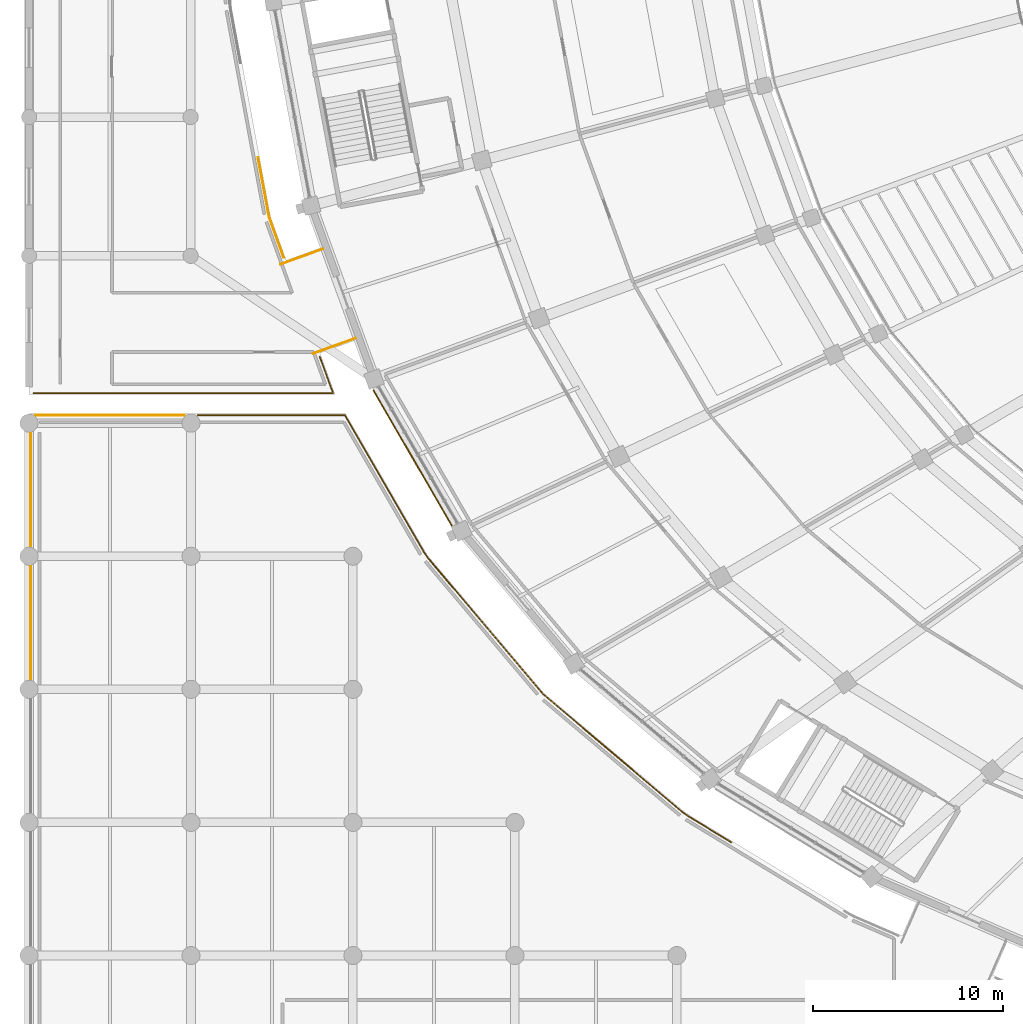
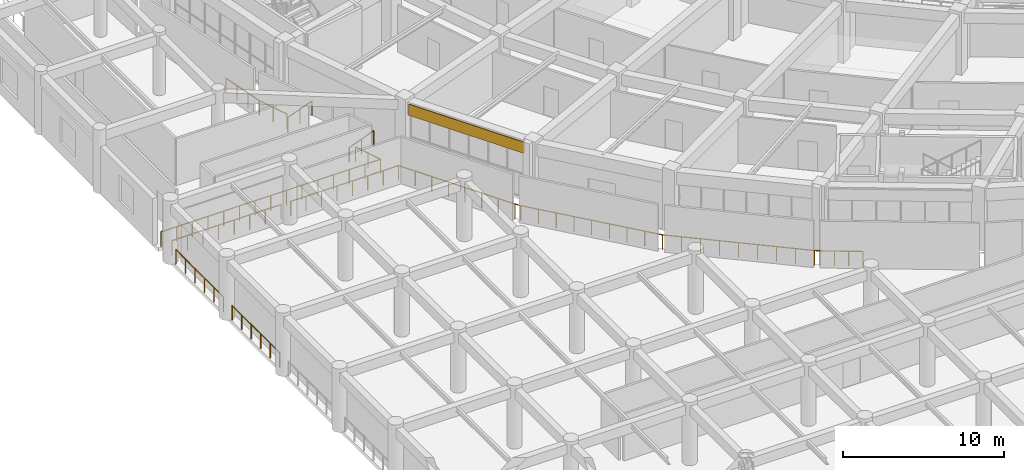
# One storey, part 122 of 152: 9 railings, 1 covering.
"""IFC4 building model written with IfcOpenShell, lengths in metres."""

from ifc_helpers import new_model, si_unit, direction, frame, origin, origin_2d, place, context, subcontext, project, spatial, rectangle, circle, extrude, material, layer, layer_set, type_object, element, save


model = new_model("IFC4")

# Units and contexts
model_context = context("Model", 3, precision=1e-05, world=origin(), true_north=direction((0.0, 1.0)))
body_context = subcontext(model_context, "Body", "Model", "MODEL_VIEW")
ifc_project = project(units=[si_unit("LENGTHUNIT", "METRE"), si_unit("AREAUNIT", "SQUARE_METRE"), si_unit("VOLUMEUNIT", "CUBIC_METRE"), si_unit("PLANEANGLEUNIT", "RADIAN"), si_unit("MASSUNIT", "GRAM", prefix="KILO")], contexts=[model_context])

# Site, building, storey
site_placement = place(None, origin())
site = spatial("IfcSite", under=ifc_project, at=site_placement, CompositionType="ELEMENT")
building_placement = place(site_placement, origin())
building = spatial("IfcBuilding", under=site, at=building_placement, Name="Mphavela Belvedere Stadium", CompositionType="ELEMENT")
storey_placement = place(building_placement, frame((0.0, 0.0, 5.39990234375)))
storey = spatial("IfcBuildingStorey", under=building, at=storey_placement, Name="L01", CompositionType="ELEMENT", Elevation=5.39990234375)

# Covering
ifc_material_1 = material(Name="Carved classical limestone entablature frieze cladding", Category="masonry")
ifc_layer = layer(ifc_material_1, 0.06005859375)
ifc_layer_set = layer_set([ifc_layer], Name="Carved classical limestone entablature frieze cladding")
covering_type = type_object("IfcCoveringType", Name="COV-FRIEZE-CLAD", PredefinedType="CLADDING", material=ifc_layer_set)
covering_placement = place(storey_placement, frame((20.173583984375, 47.16796875, 3.594970703125), z_axis=(0.0, 0.0, 1.0), x_axis=(0.500604477892, -0.865676126917, 0.0)))
element("IfcCovering", 1, at=covering_placement, inside=storey, type_object=covering_type, Name="Classical entablature frieze cladding L01-28", PredefinedType="CLADDING", context=body_context, shape_type="SweptSolid", body=[
    extrude(rectangle(XDim=8.27099609375, YDim=0.06005859375, at=origin_2d()), origin(), (0.0, 0.0, 1.0), 0.85009765625),
])

# Railings
ifc_material_2 = material(Name="Bronze and laminated glass stadium balustrade", Category="glass")
railing_type = type_object("IfcRailingType", Name="RAL-BALUSTRADE-1120", PredefinedType="BALUSTRADE", material=ifc_material_2)
railing_1_placement = place(storey_placement, frame((15.44921875, 58.159423828125, 0.0)))
element("IfcRailing", 2, at=railing_1_placement, inside=storey, type_object=railing_type, Name="Colonnade link bridge balustrade L01-27A", PredefinedType="BALUSTRADE", context=body_context, shape_type="SweptSolid", body=[
    extrude(circle(Radius=0.02392578125, at=origin_2d()), frame((0.0, 0.0, 1.09619140625), z_axis=(-0.940078218368, -0.340958858734, 0.0), x_axis=(0.340958858734, -0.940078218368, 0.0)), (0.0, 0.0, 1.0), 2.35009765625),
    extrude(circle(Radius=0.02099609375, at=origin_2d()), origin(), (0.0, 0.0, 1.0), 1.072021484375),
    extrude(circle(Radius=0.02099609375, at=origin_2d()), frame((-1.1044921875, -0.400634765625, 0.0)), (0.0, 0.0, 1.0), 1.072021484375),
    extrude(circle(Radius=0.02099609375, at=origin_2d()), frame((-2.209228515625, -0.80126953125, 0.0)), (0.0, 0.0, 1.0), 1.072021484375),
])
railing_2_placement = place(storey_placement, frame((17.154296875, 53.459228515625, 0.0)))
element("IfcRailing", 3, at=railing_2_placement, inside=storey, type_object=railing_type, Name="Colonnade link bridge balustrade L01-27B", PredefinedType="BALUSTRADE", context=body_context, shape_type="SweptSolid", body=[
    extrude(circle(Radius=0.02392578125, at=origin_2d()), frame((0.0, 0.0, 1.09619140625), z_axis=(-0.940044916205, -0.341050664151, 0.0), x_axis=(0.341050664151, -0.940044916205, 0.0)), (0.0, 0.0, 1.0), 2.35009765625),
    extrude(circle(Radius=0.02099609375, at=origin_2d()), origin(), (0.0, 0.0, 1.0), 1.072021484375),
    extrude(circle(Radius=0.02099609375, at=origin_2d()), frame((-1.1044921875, -0.40087890625, 0.0)), (0.0, 0.0, 1.0), 1.072021484375),
    extrude(circle(Radius=0.02099609375, at=origin_2d()), frame((-2.209228515625, -0.801513671875, 0.0)), (0.0, 0.0, 1.0), 1.072021484375),
])
railing_3_placement = place(storey_placement, frame((20.78369140625, 42.197265625, 0.0)))
element("IfcRailing", 4, at=railing_3_placement, inside=storey, type_object=railing_type, Name="Peristyle wing gallery edge balustrade L01-01", PredefinedType="BALUSTRADE", context=body_context, shape_type="SweptSolid", body=[
    extrude(circle(Radius=0.02392578125, at=origin_2d()), frame((0.0, 0.0, 1.09619140625), z_axis=(0.574803044169, -0.818291794175, 0.0), x_axis=(0.818291794175, 0.574803044169, 0.0)), (0.0, 0.0, 1.0), 0.403076171875),
    extrude(circle(Radius=0.02392578125, at=origin_2d()), frame((0.231689453125, -0.329833984375, 1.09619140625), z_axis=(0.645875497247, -0.76344275624, 0.0), x_axis=(0.76344275624, 0.645875497247, 0.0)), (0.0, 0.0, 1.0), 9.3466796875),
    extrude(circle(Radius=0.02392578125, at=origin_2d()), frame((6.2685546875, -7.465576171875, 1.09619140625), z_axis=(0.763732839913, -0.645532454056, 0.0), x_axis=(0.645532454056, 0.763732839913, 0.0)), (0.0, 0.0, 1.0), 9.590087890625),
    extrude(circle(Radius=0.02392578125, at=origin_2d()), frame((13.5927734375, -13.65625, 1.09619140625), z_axis=(0.81202574752, -0.583621611462, 0.0), x_axis=(0.583621611462, 0.81202574752, 0.0)), (0.0, 0.0, 1.0), 0.348388671875),
    extrude(circle(Radius=0.02392578125, at=origin_2d()), frame((13.875732421875, -13.859619140625, 1.09619140625), z_axis=(0.854337692863, -0.519718295381, 0.0), x_axis=(0.519718295381, 0.854337692863, 0.0)), (0.0, 0.0, 1.0), 2.67626953125),
    extrude(circle(Radius=0.02099609375, at=origin_2d()), origin(), (0.0, 0.0, 1.0), 1.072021484375),
    extrude(circle(Radius=0.02099609375, at=origin_2d()), frame((0.231689453125, -0.329833984375, 0.0)), (0.0, 0.0, 1.0), 1.072021484375),
    extrude(circle(Radius=0.02099609375, at=origin_2d()), frame((0.986328125, -1.2216796875, 0.0)), (0.0, 0.0, 1.0), 1.072021484375),
    extrude(circle(Radius=0.02099609375, at=origin_2d()), frame((1.740966796875, -2.11376953125, 0.0)), (0.0, 0.0, 1.0), 1.072021484375),
    extrude(circle(Radius=0.02099609375, at=origin_2d()), frame((2.49560546875, -3.005859375, 0.0)), (0.0, 0.0, 1.0), 1.072021484375),
    extrude(circle(Radius=0.02099609375, at=origin_2d()), frame((3.25, -3.897705078125, 0.0)), (0.0, 0.0, 1.0), 1.072021484375),
    extrude(circle(Radius=0.02099609375, at=origin_2d()), frame((4.004638671875, -4.78955078125, 0.0)), (0.0, 0.0, 1.0), 1.072021484375),
    extrude(circle(Radius=0.02099609375, at=origin_2d()), frame((4.75927734375, -5.681640625, 0.0)), (0.0, 0.0, 1.0), 1.072021484375),
    extrude(circle(Radius=0.02099609375, at=origin_2d()), frame((5.513916015625, -6.57373046875, 0.0)), (0.0, 0.0, 1.0), 1.072021484375),
    extrude(circle(Radius=0.02099609375, at=origin_2d()), frame((6.2685546875, -7.465576171875, 0.0)), (0.0, 0.0, 1.0), 1.072021484375),
    extrude(circle(Radius=0.02099609375, at=origin_2d()), frame((7.18408203125, -8.239501953125, 0.0)), (0.0, 0.0, 1.0), 1.072021484375),
    extrude(circle(Radius=0.02099609375, at=origin_2d()), frame((8.099609375, -9.01318359375, 0.0)), (0.0, 0.0, 1.0), 1.072021484375),
    extrude(circle(Radius=0.02099609375, at=origin_2d()), frame((9.01513671875, -9.787109375, 0.0)), (0.0, 0.0, 1.0), 1.072021484375),
    extrude(circle(Radius=0.02099609375, at=origin_2d()), frame((9.9306640625, -10.56103515625, 0.0)), (0.0, 0.0, 1.0), 1.072021484375),
    extrude(circle(Radius=0.02099609375, at=origin_2d()), frame((10.84619140625, -11.334716796875, 0.0)), (0.0, 0.0, 1.0), 1.072021484375),
    extrude(circle(Radius=0.02099609375, at=origin_2d()), frame((11.76171875, -12.108642578125, 0.0)), (0.0, 0.0, 1.0), 1.072021484375),
    extrude(circle(Radius=0.02099609375, at=origin_2d()), frame((12.67724609375, -12.88232421875, 0.0)), (0.0, 0.0, 1.0), 1.072021484375),
    extrude(circle(Radius=0.02099609375, at=origin_2d()), frame((13.5927734375, -13.65625, 0.0)), (0.0, 0.0, 1.0), 1.072021484375),
    extrude(circle(Radius=0.02099609375, at=origin_2d()), frame((13.875732421875, -13.859619140625, 0.0)), (0.0, 0.0, 1.0), 1.072021484375),
    extrude(circle(Radius=0.02099609375, at=origin_2d()), frame((14.637939453125, -14.3232421875, 0.0)), (0.0, 0.0, 1.0), 1.072021484375),
    extrude(circle(Radius=0.02099609375, at=origin_2d()), frame((15.39990234375, -14.786865234375, 0.0)), (0.0, 0.0, 1.0), 1.072021484375),
    extrude(circle(Radius=0.02099609375, at=origin_2d()), frame((16.162109375, -15.25048828125, 0.0)), (0.0, 0.0, 1.0), 1.072021484375),
])
for number, where, name in (
    (5, (0.080078125, 35.54345703125, 0.0), "Peristyle wing gallery edge balustrade L01-21"),
    (6, (0.080078125, 42.54345703125, 0.0), "Peristyle wing gallery edge balustrade L01-22"),
):
    element("IfcRailing", number, at=place(storey_placement, frame(where)), inside=storey, type_object=railing_type, Name=name, PredefinedType="BALUSTRADE", context=body_context, shape_type="SweptSolid", body=[
        extrude(circle(Radius=0.02392578125, at=origin_2d()), frame((0.0, 0.0, 1.09619140625), z_axis=(0.0, 1.0, 0.0), x_axis=(-1.0, 0.0, 0.0)), (0.0, 0.0, 1.0), 5.9130859375),
        extrude(circle(Radius=0.02099609375, at=origin_2d()), origin(), (0.0, 0.0, 1.0), 1.072021484375),
        extrude(circle(Radius=0.02099609375, at=origin_2d()), frame((0.0, 1.1826171875, 0.0)), (0.0, 0.0, 1.0), 1.072021484375),
        extrude(circle(Radius=0.02099609375, at=origin_2d()), frame((0.0, 2.365234375, 0.0)), (0.0, 0.0, 1.0), 1.072021484375),
        extrude(circle(Radius=0.02099609375, at=origin_2d()), frame((0.0, 3.5478515625, 0.0)), (0.0, 0.0, 1.0), 1.072021484375),
        extrude(circle(Radius=0.02099609375, at=origin_2d()), frame((0.0, 4.73046875, 0.0)), (0.0, 0.0, 1.0), 1.072021484375),
        extrude(circle(Radius=0.02099609375, at=origin_2d()), frame((0.0, 5.9130859375, 0.0)), (0.0, 0.0, 1.0), 1.072021484375),
    ])
railing_4_placement = place(storey_placement, frame((0.3544921875, 49.419921875, 0.0)))
element("IfcRailing", 7, at=railing_4_placement, inside=storey, type_object=railing_type, Name="Peristyle wing gallery edge balustrade L01-23", PredefinedType="BALUSTRADE", context=body_context, shape_type="SweptSolid", body=[
    extrude(circle(Radius=0.02392578125, at=origin_2d()), frame((0.0, 0.0, 1.09619140625), z_axis=(1.0, 0.0, 0.0), x_axis=(0.0, 1.0, 0.0)), (0.0, 0.0, 1.0), 7.809814453125),
    extrude(circle(Radius=0.02099609375, at=origin_2d()), origin(), (0.0, 0.0, 1.0), 1.072021484375),
    extrude(circle(Radius=0.02099609375, at=origin_2d()), frame((1.11572265625, 0.0, 0.0)), (0.0, 0.0, 1.0), 1.072021484375),
    extrude(circle(Radius=0.02099609375, at=origin_2d()), frame((2.2314453125, 0.0, 0.0)), (0.0, 0.0, 1.0), 1.072021484375),
    extrude(circle(Radius=0.02099609375, at=origin_2d()), frame((3.34716796875, 0.0, 0.0)), (0.0, 0.0, 1.0), 1.072021484375),
    extrude(circle(Radius=0.02099609375, at=origin_2d()), frame((4.462646484375, 0.0, 0.0)), (0.0, 0.0, 1.0), 1.072021484375),
    extrude(circle(Radius=0.02099609375, at=origin_2d()), frame((5.578369140625, 0.0, 0.0)), (0.0, 0.0, 1.0), 1.072021484375),
    extrude(circle(Radius=0.02099609375, at=origin_2d()), frame((6.694091796875, 0.0, 0.0)), (0.0, 0.0, 1.0), 1.072021484375),
    extrude(circle(Radius=0.02099609375, at=origin_2d()), frame((7.809814453125, 0.0, 0.0)), (0.0, 0.0, 1.0), 1.072021484375),
])
railing_5_placement = place(storey_placement, frame((8.87353515625, 49.419921875, 0.0)))
element("IfcRailing", 8, at=railing_5_placement, inside=storey, type_object=railing_type, Name="Peristyle wing gallery edge balustrade L01-24", PredefinedType="BALUSTRADE", context=body_context, shape_type="SweptSolid", body=[
    extrude(circle(Radius=0.02392578125, at=origin_2d()), frame((0.0, 0.0, 1.09619140625), z_axis=(1.0, 0.0, 0.0), x_axis=(0.0, 1.0, 0.0)), (0.0, 0.0, 1.0), 7.73388671875),
    extrude(circle(Radius=0.02392578125, at=origin_2d()), frame((7.73388671875, 0.0, 1.09619140625), z_axis=(0.500563261308, -0.865699960396, 0.0), x_axis=(0.865699960396, 0.500563261308, 0.0)), (0.0, 0.0, 1.0), 8.34326171875),
    extrude(circle(Radius=0.02099609375, at=origin_2d()), origin(), (0.0, 0.0, 1.0), 1.072021484375),
    extrude(circle(Radius=0.02099609375, at=origin_2d()), frame((1.104736328125, 0.0, 0.0)), (0.0, 0.0, 1.0), 1.072021484375),
    extrude(circle(Radius=0.02099609375, at=origin_2d()), frame((2.209716796875, 0.0, 0.0)), (0.0, 0.0, 1.0), 1.072021484375),
    extrude(circle(Radius=0.02099609375, at=origin_2d()), frame((3.314453125, 0.0, 0.0)), (0.0, 0.0, 1.0), 1.072021484375),
    extrude(circle(Radius=0.02099609375, at=origin_2d()), frame((4.41943359375, 0.0, 0.0)), (0.0, 0.0, 1.0), 1.072021484375),
    extrude(circle(Radius=0.02099609375, at=origin_2d()), frame((5.524169921875, 0.0, 0.0)), (0.0, 0.0, 1.0), 1.072021484375),
    extrude(circle(Radius=0.02099609375, at=origin_2d()), frame((6.629150390625, 0.0, 0.0)), (0.0, 0.0, 1.0), 1.072021484375),
    extrude(circle(Radius=0.02099609375, at=origin_2d()), frame((7.73388671875, 0.0, 0.0)), (0.0, 0.0, 1.0), 1.072021484375),
    extrude(circle(Radius=0.02099609375, at=origin_2d()), frame((8.33056640625, -1.03173828125, 0.0)), (0.0, 0.0, 1.0), 1.072021484375),
    extrude(circle(Radius=0.02099609375, at=origin_2d()), frame((8.927001953125, -2.063720703125, 0.0)), (0.0, 0.0, 1.0), 1.072021484375),
    extrude(circle(Radius=0.02099609375, at=origin_2d()), frame((9.523681640625, -3.095458984375, 0.0)), (0.0, 0.0, 1.0), 1.072021484375),
    extrude(circle(Radius=0.02099609375, at=origin_2d()), frame((10.120361328125, -4.127197265625, 0.0)), (0.0, 0.0, 1.0), 1.072021484375),
    extrude(circle(Radius=0.02099609375, at=origin_2d()), frame((10.717041015625, -5.158935546875, 0.0)), (0.0, 0.0, 1.0), 1.072021484375),
    extrude(circle(Radius=0.02099609375, at=origin_2d()), frame((11.3134765625, -6.19091796875, 0.0)), (0.0, 0.0, 1.0), 1.072021484375),
    extrude(circle(Radius=0.02099609375, at=origin_2d()), frame((11.91015625, -7.22265625, 0.0)), (0.0, 0.0, 1.0), 1.072021484375),
])
railing_6_placement = place(storey_placement, frame((12.0458984375, 62.970947265625, 0.0)))
element("IfcRailing", 9, at=railing_6_placement, inside=storey, type_object=railing_type, Name="Peristyle wing gallery edge balustrade L01-57", PredefinedType="BALUSTRADE", context=body_context, shape_type="SweptSolid", body=[
    extrude(circle(Radius=0.02392578125, at=origin_2d()), frame((0.0, 0.0, 1.09619140625), z_axis=(0.184941248651, -0.982749578757, 0.0), x_axis=(0.982749578757, 0.184941248651, 0.0)), (0.0, 0.0, 1.0), 3.18408203125),
    extrude(circle(Radius=0.02392578125, at=origin_2d()), frame((0.5888671875, -3.129150390625, 1.09619140625), z_axis=(0.337621951524, -0.941281795133, 0.0), x_axis=(0.941281795133, 0.337621951524, 0.0)), (0.0, 0.0, 1.0), 2.26123046875),
    extrude(circle(Radius=0.02099609375, at=origin_2d()), origin(), (0.0, 0.0, 1.0), 1.072021484375),
    extrude(circle(Radius=0.02099609375, at=origin_2d()), frame((0.1962890625, -1.04296875, 0.0)), (0.0, 0.0, 1.0), 1.072021484375),
    extrude(circle(Radius=0.02099609375, at=origin_2d()), frame((0.392578125, -2.086181640625, 0.0)), (0.0, 0.0, 1.0), 1.072021484375),
    extrude(circle(Radius=0.02099609375, at=origin_2d()), frame((0.5888671875, -3.129150390625, 0.0)), (0.0, 0.0, 1.0), 1.072021484375),
    extrude(circle(Radius=0.02099609375, at=origin_2d()), frame((0.970703125, -4.193359375, 0.0)), (0.0, 0.0, 1.0), 1.072021484375),
    extrude(circle(Radius=0.02099609375, at=origin_2d()), frame((1.352294921875, -5.257568359375, 0.0)), (0.0, 0.0, 1.0), 1.072021484375),
])
railing_7_placement = place(storey_placement, frame((15.294677734375, 52.48681640625, 0.0)))
element("IfcRailing", 10, at=railing_7_placement, inside=storey, type_object=railing_type, Name="Peristyle wing gallery edge balustrade L01-58", PredefinedType="BALUSTRADE", context=body_context, shape_type="SweptSolid", body=[
    extrude(circle(Radius=0.02392578125, at=origin_2d()), frame((0.0, 0.0, 1.09619140625), z_axis=(0.342380499121, -0.939561383743, 0.0), x_axis=(0.939561383743, 0.342380499121, 0.0)), (0.0, 0.0, 1.0), 2.029296875),
    extrude(circle(Radius=0.02392578125, at=origin_2d()), frame((0.69482421875, -1.90673828125, 1.09619140625), z_axis=(-1.0, 0.0, 0.0), x_axis=(0.0, -1.0, 0.0)), (0.0, 0.0, 1.0), 15.756103515625),
    extrude(circle(Radius=0.02099609375, at=origin_2d()), origin(), (0.0, 0.0, 1.0), 1.072021484375),
    extrude(circle(Radius=0.02099609375, at=origin_2d()), frame((0.347412109375, -0.953369140625, 0.0)), (0.0, 0.0, 1.0), 1.072021484375),
    extrude(circle(Radius=0.02099609375, at=origin_2d()), frame((0.69482421875, -1.90673828125, 0.0)), (0.0, 0.0, 1.0), 1.072021484375),
    extrude(circle(Radius=0.02099609375, at=origin_2d()), frame((-0.4306640625, -1.90673828125, 0.0)), (0.0, 0.0, 1.0), 1.072021484375),
    extrude(circle(Radius=0.02099609375, at=origin_2d()), frame((-1.55615234375, -1.90673828125, 0.0)), (0.0, 0.0, 1.0), 1.072021484375),
    extrude(circle(Radius=0.02099609375, at=origin_2d()), frame((-2.681396484375, -1.90673828125, 0.0)), (0.0, 0.0, 1.0), 1.072021484375),
    extrude(circle(Radius=0.02099609375, at=origin_2d()), frame((-3.806884765625, -1.90673828125, 0.0)), (0.0, 0.0, 1.0), 1.072021484375),
    extrude(circle(Radius=0.02099609375, at=origin_2d()), frame((-4.932373046875, -1.90673828125, 0.0)), (0.0, 0.0, 1.0), 1.072021484375),
    extrude(circle(Radius=0.02099609375, at=origin_2d()), frame((-6.057861328125, -1.90673828125, 0.0)), (0.0, 0.0, 1.0), 1.072021484375),
    extrude(circle(Radius=0.02099609375, at=origin_2d()), frame((-7.18310546875, -1.90673828125, 0.0)), (0.0, 0.0, 1.0), 1.072021484375),
    extrude(circle(Radius=0.02099609375, at=origin_2d()), frame((-8.30859375, -1.90673828125, 0.0)), (0.0, 0.0, 1.0), 1.072021484375),
    extrude(circle(Radius=0.02099609375, at=origin_2d()), frame((-9.43408203125, -1.90673828125, 0.0)), (0.0, 0.0, 1.0), 1.072021484375),
    extrude(circle(Radius=0.02099609375, at=origin_2d()), frame((-10.5595703125, -1.90673828125, 0.0)), (0.0, 0.0, 1.0), 1.072021484375),
    extrude(circle(Radius=0.02099609375, at=origin_2d()), frame((-11.68505859375, -1.90673828125, 0.0)), (0.0, 0.0, 1.0), 1.072021484375),
    extrude(circle(Radius=0.02099609375, at=origin_2d()), frame((-12.810302734375, -1.90673828125, 0.0)), (0.0, 0.0, 1.0), 1.072021484375),
    extrude(circle(Radius=0.02099609375, at=origin_2d()), frame((-13.935791015625, -1.90673828125, 0.0)), (0.0, 0.0, 1.0), 1.072021484375),
    extrude(circle(Radius=0.02099609375, at=origin_2d()), frame((-15.061279296875, -1.90673828125, 0.0)), (0.0, 0.0, 1.0), 1.072021484375),
])

save(model, "model.ifc")
